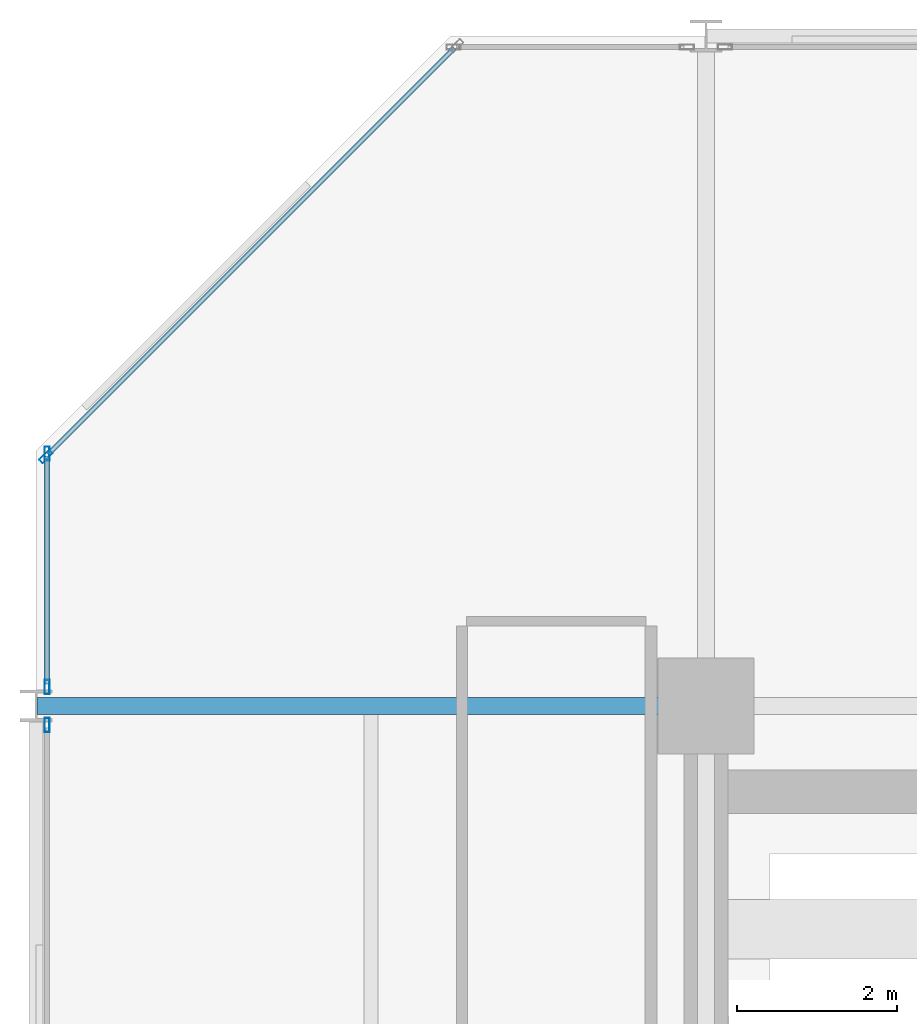
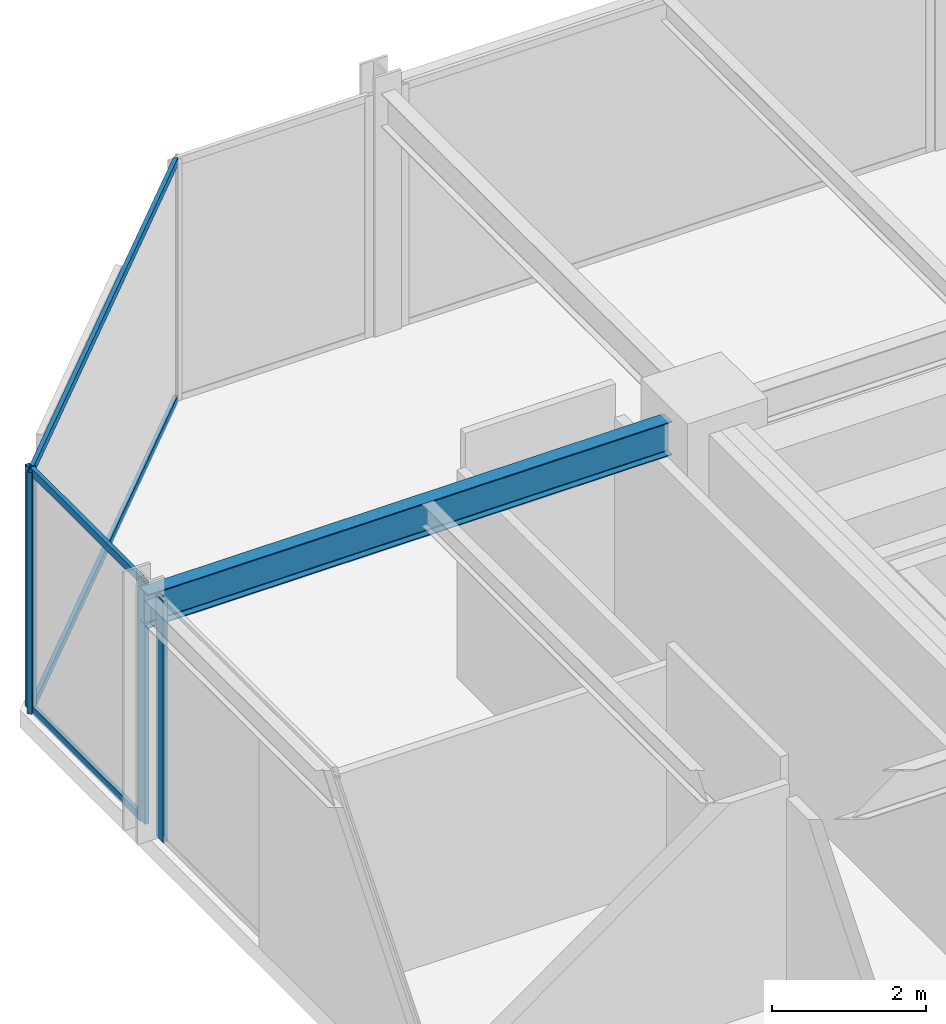
# One storey, part 18 of 29: 8 members, 1 beam, 3 elements without a shape of their own.
"""IFC4 building model written with IfcOpenShell, lengths in metres."""

from ifc_helpers import new_model, si_unit, direction, frame, origin, origin_2d, place, context, subcontext, project, spatial, hollow_rectangle, i_section, extrude, material, layer, layer_set, material_profile, profile_set, type_object, element, aggregate, save


model = new_model("IFC4")

# Units and contexts
model_context = context("Model", 3, precision=1e-05, world=origin(), true_north=direction((0.0, 1.0)))
body_context = subcontext(model_context, "Body", "Model", "MODEL_VIEW")
ifc_project = project(units=[si_unit("LENGTHUNIT", "METRE"), si_unit("AREAUNIT", "SQUARE_METRE"), si_unit("VOLUMEUNIT", "CUBIC_METRE"), si_unit("PLANEANGLEUNIT", "RADIAN"), si_unit("MASSUNIT", "GRAM", prefix="KILO")], contexts=[model_context])

# Site, building, storey
site_placement = place(None, origin())
site = spatial("IfcSite", under=ifc_project, at=site_placement, CompositionType="ELEMENT")
building_placement = place(site_placement, origin())
building = spatial("IfcBuilding", under=site, at=building_placement, Name="Nerrivon Quay Data Exchange", CompositionType="ELEMENT")
storey_placement = place(building_placement, frame((0.0, 0.0, 137.699951171875)))
storey = spatial("IfcBuildingStorey", under=building, at=storey_placement, Name="L32", CompositionType="ELEMENT", Elevation=137.699951171875)

# Beam
ifc_material_1 = material(Name="Steel Grade 350", Category="steel")
ifc_material_profile_1 = material_profile(ifc_material_1, i_section(OverallWidth=0.208984375, OverallDepth=0.532958984375, WebThickness=0.01025390625, FlangeThickness=0.015625, FilletRadius=0.013916015625, at=origin_2d()), Name="530UB92.4")
ifc_profile_set_1 = profile_set([ifc_material_profile_1], Name="Steel Grade 350")
beam_type = type_object("IfcBeamType", Name="BM-G3-530UB92", PredefinedType="BEAM", material=ifc_profile_set_1)
beam_placement = place(storey_placement, frame((0.012451171875, 42.0, 3.55859375), z_axis=(1.0, 0.0, 0.0), x_axis=(0.0, 1.0, 0.0)))
element("IfcBeam", 1, at=beam_placement, inside=storey, type_object=beam_type, Name="L32 EW Girder Y=42.0 (0.0..8.4)", PredefinedType="BEAM", context=body_context, shape_type="SweptSolid", body=[
    extrude(i_section(OverallWidth=0.208984375, OverallDepth=0.532958984375, WebThickness=0.01025390625, FlangeThickness=0.015625, FilletRadius=0.013916015625, at=origin_2d()), origin(), (0.0, 0.0, 1.0), 7.84765625),
])

# Curtain wall, member
ifc_material_2 = material(Name="Anodised aluminium 6063-T6", Category="aluminium")
ifc_layer = layer(ifc_material_2, 0.2099609375)
ifc_layer_set = layer_set([ifc_layer], Name="Anodised aluminium 6063-T6")
curtain_wall_type = type_object("IfcCurtainWallType", Name="CW-SYS-02", PredefinedType="NOTDEFINED", material=ifc_layer_set)
curtain_wall_1_placement = place(storey_placement, origin())
curtain_wall_1 = element("IfcCurtainWall", 2, at=curtain_wall_1_placement, inside=storey, type_object=curtain_wall_type, Name="L32 Unitised Curtain Wall 15", PredefinedType="NOTDEFINED")
ifc_material_profile_2 = material_profile(ifc_material_2, hollow_rectangle(XDim=0.06494140625, YDim=0.179931640625, WallThickness=0.00341796875, at=origin_2d()), Name="ALU-MULL-180x65")
ifc_profile_set_2 = profile_set([ifc_material_profile_2], Name="Anodised aluminium 6063-T6")
member_type_1 = type_object("IfcMemberType", Name="CWM-180x65", PredefinedType="MULLION", material=ifc_profile_set_2)
member_1_placement = place(storey_placement, frame((0.139892578125, 41.762451171875, 0.0), z_axis=(0.0, 0.0, 1.0), x_axis=(-1.0, 0.0, 0.0)))
member_1 = element("IfcMember", 3, at=member_1_placement, type_object=member_type_1, Name="CW02 mullion 2", PredefinedType="MULLION", context=body_context, shape_type="SweptSolid", body=[
    extrude(hollow_rectangle(XDim=0.06494140625, YDim=0.179931640625, WallThickness=0.00341796875, at=origin_2d()), origin(), (0.0, 0.0, 1.0), 3.824951171875),
])
aggregate(curtain_wall_1, [member_1])

# Curtain wall, members
curtain_wall_2_placement = place(storey_placement, origin())
curtain_wall_2 = element("IfcCurtainWall", 4, at=curtain_wall_2_placement, inside=storey, type_object=curtain_wall_type, Name="L32 Unitised Curtain Wall 16", PredefinedType="NOTDEFINED")
member_2_placement = place(storey_placement, frame((0.139892578125, 42.237548828125, 0.0), z_axis=(0.0, 0.0, 1.0), x_axis=(-1.0, 0.0, 0.0)))
member_2 = element("IfcMember", 5, at=member_2_placement, type_object=member_type_1, Name="CW02 mullion 1", PredefinedType="MULLION", context=body_context, shape_type="SweptSolid", body=[
    extrude(hollow_rectangle(XDim=0.06494140625, YDim=0.179931640625, WallThickness=0.00341796875, at=origin_2d()), origin(), (0.0, 0.0, 1.0), 3.824951171875),
])
member_3_placement = place(storey_placement, frame((0.139892578125, 45.16259765625, 0.0), z_axis=(0.0, 0.0, 1.0), x_axis=(-1.0, 0.0, 0.0)))
member_3 = element("IfcMember", 6, at=member_3_placement, type_object=member_type_1, Name="CW02 mullion 2", PredefinedType="MULLION", context=body_context, shape_type="SweptSolid", body=[
    extrude(hollow_rectangle(XDim=0.06494140625, YDim=0.179931640625, WallThickness=0.00341796875, at=origin_2d()), origin(), (0.0, 0.0, 1.0), 3.824951171875),
])

# Curtain wall, member
curtain_wall_3_placement = place(storey_placement, origin())
curtain_wall_3 = element("IfcCurtainWall", 7, at=curtain_wall_3_placement, inside=storey, type_object=curtain_wall_type, Name="L32 Unitised Curtain Wall 17", PredefinedType="NOTDEFINED")
member_4_placement = place(storey_placement, frame((0.12548828125, 45.12744140625, 0.0), z_axis=(0.0, 0.0, 1.0), x_axis=(-0.707106781187, 0.707106781187, 0.0)))
member_4 = element("IfcMember", 8, at=member_4_placement, type_object=member_type_1, Name="CW02 mullion 1", PredefinedType="MULLION", context=body_context, shape_type="SweptSolid", body=[
    extrude(hollow_rectangle(XDim=0.06494140625, YDim=0.179931640625, WallThickness=0.00341796875, at=origin_2d()), origin(), (0.0, 0.0, 1.0), 3.824951171875),
])

# Member
ifc_material_profile_3 = material_profile(ifc_material_2, hollow_rectangle(XDim=0.06005859375, YDim=0.1201171875, WallThickness=0.003173828125, at=origin_2d()), Name="ALU-TRAN-120x60")
ifc_profile_set_3 = profile_set([ifc_material_profile_3], Name="Anodised aluminium 6063-T6")
member_type_2 = type_object("IfcMemberType", Name="CWT-120x60", PredefinedType="USERDEFINED", material=ifc_profile_set_3)
member_5_placement = place(storey_placement, frame((0.139892578125, 42.27490234375, 0.032470703125), z_axis=(0.0, 1.0, 0.0), x_axis=(-1.0, 0.0, 0.0)))
member_5 = element("IfcMember", 9, at=member_5_placement, type_object=member_type_2, Name="CW02 transom 1.1", ObjectType="TRANSOM", PredefinedType="USERDEFINED", context=body_context, shape_type="SweptSolid", body=[
    extrude(hollow_rectangle(XDim=0.06005859375, YDim=0.1201171875, WallThickness=0.003173828125, at=origin_2d()), origin(), (0.0, 0.0, 1.0), 2.85009765625),
])

member_6_placement = place(storey_placement, frame((0.139892578125, 42.27490234375, 3.79248046875), z_axis=(0.0, 1.0, 0.0), x_axis=(-1.0, 0.0, 0.0)))
member_6 = element("IfcMember", 10, at=member_6_placement, type_object=member_type_2, Name="CW02 transom 1.2", ObjectType="TRANSOM", PredefinedType="USERDEFINED", context=body_context, shape_type="SweptSolid", body=[
    extrude(hollow_rectangle(XDim=0.06005859375, YDim=0.1201171875, WallThickness=0.003173828125, at=origin_2d()), origin(), (0.0, 0.0, 1.0), 2.85009765625),
])

aggregate(curtain_wall_2, [member_2, member_3, member_5, member_6])

member_7_placement = place(storey_placement, frame((0.152099609375, 45.154052734375, 0.032470703125), z_axis=(0.707089835771, 0.707123726196, 0.0), x_axis=(-0.707123726196, 0.707089835771, 0.0)))
member_7 = element("IfcMember", 11, at=member_7_placement, type_object=member_type_2, Name="CW02 transom 1.1", ObjectType="TRANSOM", PredefinedType="USERDEFINED", context=body_context, shape_type="SweptSolid", body=[
    extrude(hollow_rectangle(XDim=0.06005859375, YDim=0.1201171875, WallThickness=0.003173828125, at=origin_2d()), origin(), (0.0, 0.0, 1.0), 7.203857421875),
])

member_8_placement = place(storey_placement, frame((0.152099609375, 45.154052734375, 3.79248046875), z_axis=(0.707089835771, 0.707123726196, 0.0), x_axis=(-0.707123726196, 0.707089835771, 0.0)))
member_8 = element("IfcMember", 12, at=member_8_placement, type_object=member_type_2, Name="CW02 transom 1.2", ObjectType="TRANSOM", PredefinedType="USERDEFINED", context=body_context, shape_type="SweptSolid", body=[
    extrude(hollow_rectangle(XDim=0.06005859375, YDim=0.1201171875, WallThickness=0.003173828125, at=origin_2d()), origin(), (0.0, 0.0, 1.0), 7.203857421875),
])

aggregate(curtain_wall_3, [member_4, member_7, member_8])

save(model, "model.ifc")
